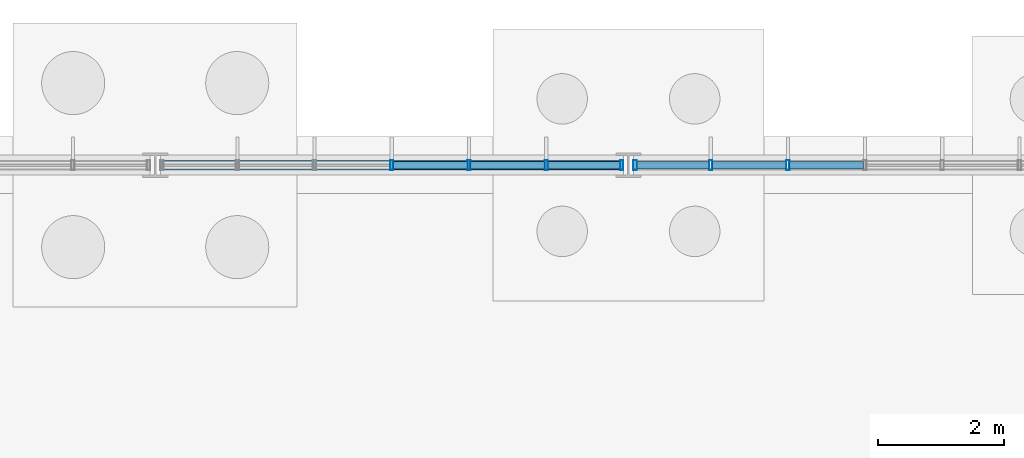
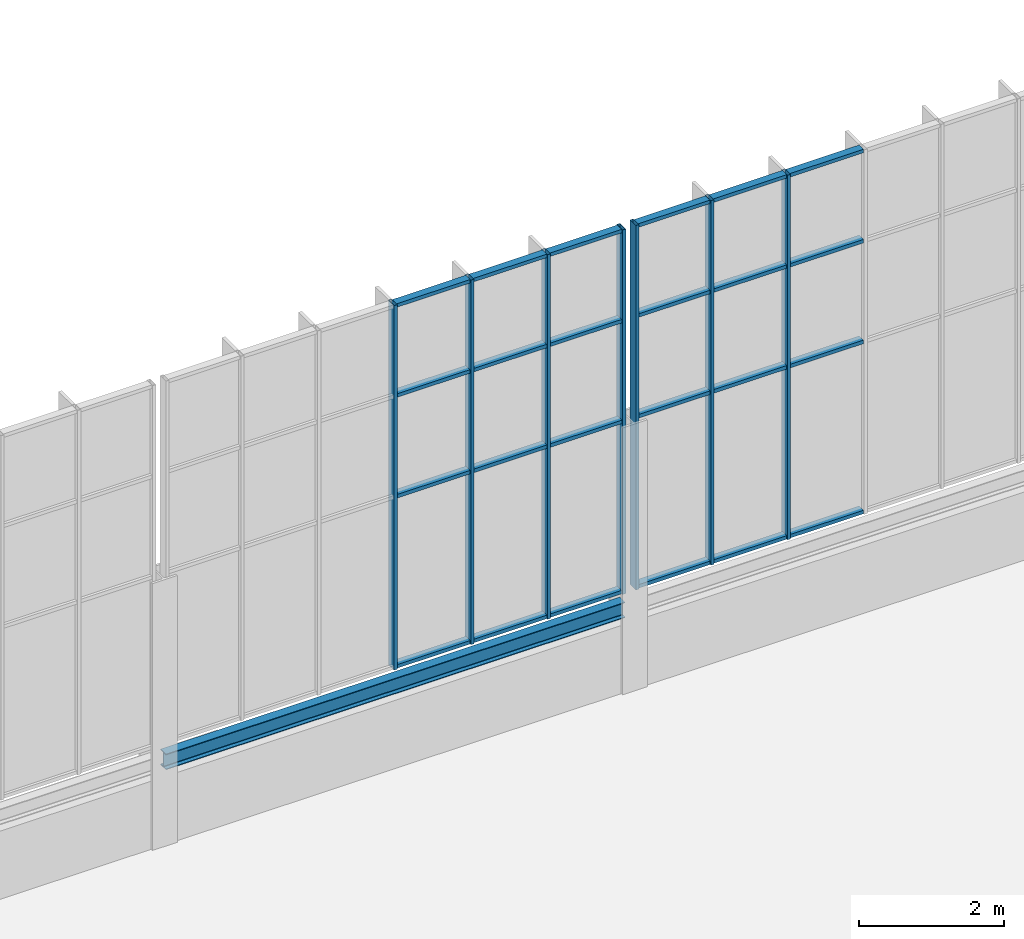
# One storey, part 55 of 136: 31 members, 1 beam, 2 elements without a shape of their own.
"""IFC4 building model written with IfcOpenShell, lengths in metres."""

from ifc_helpers import new_model, si_unit, direction, frame, origin, origin_2d, place, context, subcontext, project, spatial, hollow_rectangle, i_section, extrude, material, layer, layer_set, material_profile, profile_set, type_object, element, aggregate, save


model = new_model("IFC4")

# Units and contexts
model_context = context("Model", 3, precision=1e-05, world=origin(), true_north=direction((0.0, 1.0)))
body_context = subcontext(model_context, "Body", "Model", "MODEL_VIEW")
ifc_project = project(units=[si_unit("LENGTHUNIT", "METRE"), si_unit("AREAUNIT", "SQUARE_METRE"), si_unit("VOLUMEUNIT", "CUBIC_METRE"), si_unit("PLANEANGLEUNIT", "RADIAN"), si_unit("MASSUNIT", "GRAM", prefix="KILO")], contexts=[model_context])

# Site, building, storey
site_placement = place(None, origin())
site = spatial("IfcSite", under=ifc_project, at=site_placement, CompositionType="ELEMENT")
building_placement = place(site_placement, origin())
building = spatial("IfcBuilding", under=site, at=building_placement, Name="Solvenia Promenade Tram Depot", CompositionType="ELEMENT")
storey_placement = place(building_placement, origin())
storey = spatial("IfcBuildingStorey", under=building, at=storey_placement, Name="L00", CompositionType="ELEMENT", Elevation=0.0)

# Curtain wall, members
ifc_material_1 = material(Name="Anodized aluminium AW-6063 T6", Category="aluminium")
ifc_layer = layer(ifc_material_1, 0.159912109375, Name="Anodized aluminium AW-6063 T6", Category="aluminium")
ifc_layer_set = layer_set([ifc_layer], Name="Anodized aluminium AW-6063 T6")
curtain_wall_type = type_object("IfcCurtainWallType", Name="CW-Channel-1200", PredefinedType="NOTDEFINED", material=ifc_layer_set)
curtain_wall_1_placement = place(storey_placement, origin())
curtain_wall_1 = element("IfcCurtainWall", 1, at=curtain_wall_1_placement, inside=storey, type_object=curtain_wall_type, Name="North Translucent Channel-Glass Wall 03", PredefinedType="NOTDEFINED")
ifc_material_profile_1 = material_profile(ifc_material_1, hollow_rectangle(XDim=0.159912109375, YDim=0.052001953125, WallThickness=0.00390625, at=origin_2d()), Name="ALU-M1", Category="aluminium")
ifc_profile_set_1 = profile_set([ifc_material_profile_1], Name="Anodized aluminium AW-6063 T6")
member_type_1 = type_object("IfcMemberType", Name="CWM-Mullion-1", PredefinedType="MULLION", material=ifc_profile_set_1)
member_1_placement = place(storey_placement, frame((18.75, 126.0, 1.60009765625), z_axis=(0.0, 0.0, 1.0), x_axis=(0.0, 1.0, 0.0)))
member_1 = element("IfcMember", 2, at=member_1_placement, type_object=member_type_1, Name="CW-1 mullion 4", PredefinedType="MULLION", context=body_context, shape_type="SweptSolid", body=[
    extrude(hollow_rectangle(XDim=0.159912109375, YDim=0.052001953125, WallThickness=0.00390625, at=origin_2d()), origin(), (0.0, 0.0, 1.0), 6.14990234375),
])
member_2_placement = place(storey_placement, frame((19.973388671875, 126.0, 1.60009765625), z_axis=(0.0, 0.0, 1.0), x_axis=(0.0, 1.0, 0.0)))
member_2 = element("IfcMember", 3, at=member_2_placement, type_object=member_type_1, Name="CW-1 mullion 5", PredefinedType="MULLION", context=body_context, shape_type="SweptSolid", body=[
    extrude(hollow_rectangle(XDim=0.159912109375, YDim=0.052001953125, WallThickness=0.00390625, at=origin_2d()), origin(), (0.0, 0.0, 1.0), 6.14990234375),
])
member_3_placement = place(storey_placement, frame((21.19677734375, 126.0, 1.60009765625), z_axis=(0.0, 0.0, 1.0), x_axis=(0.0, 1.0, 0.0)))
member_3 = element("IfcMember", 4, at=member_3_placement, type_object=member_type_1, Name="CW-1 mullion 6", PredefinedType="MULLION", context=body_context, shape_type="SweptSolid", body=[
    extrude(hollow_rectangle(XDim=0.159912109375, YDim=0.052001953125, WallThickness=0.00390625, at=origin_2d()), origin(), (0.0, 0.0, 1.0), 6.14990234375),
])
member_4_placement = place(storey_placement, frame((22.39404296875, 126.0, 1.60009765625), z_axis=(0.0, 0.0, 1.0), x_axis=(0.0, 1.0, 0.0)))
member_4 = element("IfcMember", 5, at=member_4_placement, type_object=member_type_1, Name="CW-1 mullion 7", PredefinedType="MULLION", context=body_context, shape_type="SweptSolid", body=[
    extrude(hollow_rectangle(XDim=0.159912109375, YDim=0.052001953125, WallThickness=0.00390625, at=origin_2d()), origin(), (0.0, 0.0, 1.0), 6.14990234375),
])

curtain_wall_2_placement = place(storey_placement, origin())
curtain_wall_2 = element("IfcCurtainWall", 6, at=curtain_wall_2_placement, inside=storey, type_object=curtain_wall_type, Name="North Translucent Channel-Glass Wall 04", PredefinedType="NOTDEFINED")
member_5_placement = place(storey_placement, frame((22.60595703125, 126.0, 1.60009765625), z_axis=(0.0, 0.0, 1.0), x_axis=(0.0, 1.0, 0.0)))
member_5 = element("IfcMember", 7, at=member_5_placement, type_object=member_type_1, Name="CW-1 mullion 1", PredefinedType="MULLION", context=body_context, shape_type="SweptSolid", body=[
    extrude(hollow_rectangle(XDim=0.159912109375, YDim=0.052001953125, WallThickness=0.00390625, at=origin_2d()), origin(), (0.0, 0.0, 1.0), 6.14990234375),
])
member_6_placement = place(storey_placement, frame((23.80322265625, 126.0, 1.60009765625), z_axis=(0.0, 0.0, 1.0), x_axis=(0.0, 1.0, 0.0)))
member_6 = element("IfcMember", 8, at=member_6_placement, type_object=member_type_1, Name="CW-1 mullion 2", PredefinedType="MULLION", context=body_context, shape_type="SweptSolid", body=[
    extrude(hollow_rectangle(XDim=0.159912109375, YDim=0.052001953125, WallThickness=0.00390625, at=origin_2d()), origin(), (0.0, 0.0, 1.0), 6.14990234375),
])
member_7_placement = place(storey_placement, frame((25.026611328125, 126.0, 1.60009765625), z_axis=(0.0, 0.0, 1.0), x_axis=(0.0, 1.0, 0.0)))
member_7 = element("IfcMember", 9, at=member_7_placement, type_object=member_type_1, Name="CW-1 mullion 3", PredefinedType="MULLION", context=body_context, shape_type="SweptSolid", body=[
    extrude(hollow_rectangle(XDim=0.159912109375, YDim=0.052001953125, WallThickness=0.00390625, at=origin_2d()), origin(), (0.0, 0.0, 1.0), 6.14990234375),
])

# Member
ifc_material_profile_2 = material_profile(ifc_material_1, hollow_rectangle(XDim=0.1201171875, YDim=0.06005859375, WallThickness=0.00390625, at=origin_2d()), Name="ALU-T1", Category="aluminium")
ifc_profile_set_2 = profile_set([ifc_material_profile_2], Name="Anodized aluminium AW-6063 T6")
member_type_2 = type_object("IfcMemberType", Name="CWT-Transom-1", PredefinedType="USERDEFINED", material=ifc_profile_set_2)
member_8_placement = place(storey_placement, frame((18.77587890625, 126.0, 1.6298828125), z_axis=(1.0, 0.0, 0.0), x_axis=(0.0, 1.0, 0.0)))
member_8 = element("IfcMember", 10, at=member_8_placement, type_object=member_type_2, Name="CW-1 transom 4.1", ObjectType="TRANSOM", PredefinedType="USERDEFINED", context=body_context, shape_type="SweptSolid", body=[
    extrude(hollow_rectangle(XDim=0.1201171875, YDim=0.06005859375, WallThickness=0.00390625, at=origin_2d()), origin(), (0.0, 0.0, 1.0), 1.17138671875),
])

member_9_placement = place(storey_placement, frame((18.77587890625, 126.0, 4.5), z_axis=(1.0, 0.0, 0.0), x_axis=(0.0, 1.0, 0.0)))
member_9 = element("IfcMember", 11, at=member_9_placement, type_object=member_type_2, Name="CW-1 transom 4.2", ObjectType="TRANSOM", PredefinedType="USERDEFINED", context=body_context, shape_type="SweptSolid", body=[
    extrude(hollow_rectangle(XDim=0.1201171875, YDim=0.06005859375, WallThickness=0.00390625, at=origin_2d()), origin(), (0.0, 0.0, 1.0), 1.17138671875),
])

member_10_placement = place(storey_placement, frame((18.77587890625, 126.0, 6.199951171875), z_axis=(1.0, 0.0, 0.0), x_axis=(0.0, 1.0, 0.0)))
member_10 = element("IfcMember", 12, at=member_10_placement, type_object=member_type_2, Name="CW-1 transom 4.3", ObjectType="TRANSOM", PredefinedType="USERDEFINED", context=body_context, shape_type="SweptSolid", body=[
    extrude(hollow_rectangle(XDim=0.1201171875, YDim=0.06005859375, WallThickness=0.00390625, at=origin_2d()), origin(), (0.0, 0.0, 1.0), 1.17138671875),
])

member_11_placement = place(storey_placement, frame((18.77587890625, 126.0, 7.719970703125), z_axis=(1.0, 0.0, 0.0), x_axis=(0.0, 1.0, 0.0)))
member_11 = element("IfcMember", 13, at=member_11_placement, type_object=member_type_2, Name="CW-1 transom 4.4", ObjectType="TRANSOM", PredefinedType="USERDEFINED", context=body_context, shape_type="SweptSolid", body=[
    extrude(hollow_rectangle(XDim=0.1201171875, YDim=0.06005859375, WallThickness=0.00390625, at=origin_2d()), origin(), (0.0, 0.0, 1.0), 1.17138671875),
])

member_12_placement = place(storey_placement, frame((19.999267578125, 126.0, 1.6298828125), z_axis=(1.0, 0.0, 0.0), x_axis=(0.0, 1.0, 0.0)))
member_12 = element("IfcMember", 14, at=member_12_placement, type_object=member_type_2, Name="CW-1 transom 5.1", ObjectType="TRANSOM", PredefinedType="USERDEFINED", context=body_context, shape_type="SweptSolid", body=[
    extrude(hollow_rectangle(XDim=0.1201171875, YDim=0.06005859375, WallThickness=0.00390625, at=origin_2d()), origin(), (0.0, 0.0, 1.0), 1.17138671875),
])

member_13_placement = place(storey_placement, frame((19.999267578125, 126.0, 4.5), z_axis=(1.0, 0.0, 0.0), x_axis=(0.0, 1.0, 0.0)))
member_13 = element("IfcMember", 15, at=member_13_placement, type_object=member_type_2, Name="CW-1 transom 5.2", ObjectType="TRANSOM", PredefinedType="USERDEFINED", context=body_context, shape_type="SweptSolid", body=[
    extrude(hollow_rectangle(XDim=0.1201171875, YDim=0.06005859375, WallThickness=0.00390625, at=origin_2d()), origin(), (0.0, 0.0, 1.0), 1.17138671875),
])

member_14_placement = place(storey_placement, frame((19.999267578125, 126.0, 6.199951171875), z_axis=(1.0, 0.0, 0.0), x_axis=(0.0, 1.0, 0.0)))
member_14 = element("IfcMember", 16, at=member_14_placement, type_object=member_type_2, Name="CW-1 transom 5.3", ObjectType="TRANSOM", PredefinedType="USERDEFINED", context=body_context, shape_type="SweptSolid", body=[
    extrude(hollow_rectangle(XDim=0.1201171875, YDim=0.06005859375, WallThickness=0.00390625, at=origin_2d()), origin(), (0.0, 0.0, 1.0), 1.17138671875),
])

member_15_placement = place(storey_placement, frame((19.999267578125, 126.0, 7.719970703125), z_axis=(1.0, 0.0, 0.0), x_axis=(0.0, 1.0, 0.0)))
member_15 = element("IfcMember", 17, at=member_15_placement, type_object=member_type_2, Name="CW-1 transom 5.4", ObjectType="TRANSOM", PredefinedType="USERDEFINED", context=body_context, shape_type="SweptSolid", body=[
    extrude(hollow_rectangle(XDim=0.1201171875, YDim=0.06005859375, WallThickness=0.00390625, at=origin_2d()), origin(), (0.0, 0.0, 1.0), 1.17138671875),
])

member_16_placement = place(storey_placement, frame((21.22265625, 126.0, 1.6298828125), z_axis=(1.0, 0.0, 0.0), x_axis=(0.0, 1.0, 0.0)))
member_16 = element("IfcMember", 18, at=member_16_placement, type_object=member_type_2, Name="CW-1 transom 6.1", ObjectType="TRANSOM", PredefinedType="USERDEFINED", context=body_context, shape_type="SweptSolid", body=[
    extrude(hollow_rectangle(XDim=0.1201171875, YDim=0.06005859375, WallThickness=0.00390625, at=origin_2d()), origin(), (0.0, 0.0, 1.0), 1.145263671875),
])

member_17_placement = place(storey_placement, frame((21.22265625, 126.0, 4.5), z_axis=(1.0, 0.0, 0.0), x_axis=(0.0, 1.0, 0.0)))
member_17 = element("IfcMember", 19, at=member_17_placement, type_object=member_type_2, Name="CW-1 transom 6.2", ObjectType="TRANSOM", PredefinedType="USERDEFINED", context=body_context, shape_type="SweptSolid", body=[
    extrude(hollow_rectangle(XDim=0.1201171875, YDim=0.06005859375, WallThickness=0.00390625, at=origin_2d()), origin(), (0.0, 0.0, 1.0), 1.145263671875),
])

member_18_placement = place(storey_placement, frame((21.22265625, 126.0, 6.199951171875), z_axis=(1.0, 0.0, 0.0), x_axis=(0.0, 1.0, 0.0)))
member_18 = element("IfcMember", 20, at=member_18_placement, type_object=member_type_2, Name="CW-1 transom 6.3", ObjectType="TRANSOM", PredefinedType="USERDEFINED", context=body_context, shape_type="SweptSolid", body=[
    extrude(hollow_rectangle(XDim=0.1201171875, YDim=0.06005859375, WallThickness=0.00390625, at=origin_2d()), origin(), (0.0, 0.0, 1.0), 1.145263671875),
])

member_19_placement = place(storey_placement, frame((21.22265625, 126.0, 7.719970703125), z_axis=(1.0, 0.0, 0.0), x_axis=(0.0, 1.0, 0.0)))
member_19 = element("IfcMember", 21, at=member_19_placement, type_object=member_type_2, Name="CW-1 transom 6.4", ObjectType="TRANSOM", PredefinedType="USERDEFINED", context=body_context, shape_type="SweptSolid", body=[
    extrude(hollow_rectangle(XDim=0.1201171875, YDim=0.06005859375, WallThickness=0.00390625, at=origin_2d()), origin(), (0.0, 0.0, 1.0), 1.145263671875),
])

aggregate(curtain_wall_1, [member_1, member_2, member_3, member_4, member_8, member_9, member_10, member_11, member_12, member_13, member_14, member_15, member_16, member_17, member_18, member_19])

member_20_placement = place(storey_placement, frame((22.632080078125, 126.0, 1.6298828125), z_axis=(1.0, 0.0, 0.0), x_axis=(0.0, 1.0, 0.0)))
member_20 = element("IfcMember", 22, at=member_20_placement, type_object=member_type_2, Name="CW-1 transom 1.1", ObjectType="TRANSOM", PredefinedType="USERDEFINED", context=body_context, shape_type="SweptSolid", body=[
    extrude(hollow_rectangle(XDim=0.1201171875, YDim=0.06005859375, WallThickness=0.00390625, at=origin_2d()), origin(), (0.0, 0.0, 1.0), 1.145263671875),
])

member_21_placement = place(storey_placement, frame((22.632080078125, 126.0, 4.5), z_axis=(1.0, 0.0, 0.0), x_axis=(0.0, 1.0, 0.0)))
member_21 = element("IfcMember", 23, at=member_21_placement, type_object=member_type_2, Name="CW-1 transom 1.2", ObjectType="TRANSOM", PredefinedType="USERDEFINED", context=body_context, shape_type="SweptSolid", body=[
    extrude(hollow_rectangle(XDim=0.1201171875, YDim=0.06005859375, WallThickness=0.00390625, at=origin_2d()), origin(), (0.0, 0.0, 1.0), 1.145263671875),
])

member_22_placement = place(storey_placement, frame((22.632080078125, 126.0, 6.199951171875), z_axis=(1.0, 0.0, 0.0), x_axis=(0.0, 1.0, 0.0)))
member_22 = element("IfcMember", 24, at=member_22_placement, type_object=member_type_2, Name="CW-1 transom 1.3", ObjectType="TRANSOM", PredefinedType="USERDEFINED", context=body_context, shape_type="SweptSolid", body=[
    extrude(hollow_rectangle(XDim=0.1201171875, YDim=0.06005859375, WallThickness=0.00390625, at=origin_2d()), origin(), (0.0, 0.0, 1.0), 1.145263671875),
])

member_23_placement = place(storey_placement, frame((22.632080078125, 126.0, 7.719970703125), z_axis=(1.0, 0.0, 0.0), x_axis=(0.0, 1.0, 0.0)))
member_23 = element("IfcMember", 25, at=member_23_placement, type_object=member_type_2, Name="CW-1 transom 1.4", ObjectType="TRANSOM", PredefinedType="USERDEFINED", context=body_context, shape_type="SweptSolid", body=[
    extrude(hollow_rectangle(XDim=0.1201171875, YDim=0.06005859375, WallThickness=0.00390625, at=origin_2d()), origin(), (0.0, 0.0, 1.0), 1.145263671875),
])

member_24_placement = place(storey_placement, frame((23.829345703125, 126.0, 1.6298828125), z_axis=(1.0, 0.0, 0.0), x_axis=(0.0, 1.0, 0.0)))
member_24 = element("IfcMember", 26, at=member_24_placement, type_object=member_type_2, Name="CW-1 transom 2.1", ObjectType="TRANSOM", PredefinedType="USERDEFINED", context=body_context, shape_type="SweptSolid", body=[
    extrude(hollow_rectangle(XDim=0.1201171875, YDim=0.06005859375, WallThickness=0.00390625, at=origin_2d()), origin(), (0.0, 0.0, 1.0), 1.17138671875),
])

member_25_placement = place(storey_placement, frame((23.829345703125, 126.0, 4.5), z_axis=(1.0, 0.0, 0.0), x_axis=(0.0, 1.0, 0.0)))
member_25 = element("IfcMember", 27, at=member_25_placement, type_object=member_type_2, Name="CW-1 transom 2.2", ObjectType="TRANSOM", PredefinedType="USERDEFINED", context=body_context, shape_type="SweptSolid", body=[
    extrude(hollow_rectangle(XDim=0.1201171875, YDim=0.06005859375, WallThickness=0.00390625, at=origin_2d()), origin(), (0.0, 0.0, 1.0), 1.17138671875),
])

member_26_placement = place(storey_placement, frame((23.829345703125, 126.0, 6.199951171875), z_axis=(1.0, 0.0, 0.0), x_axis=(0.0, 1.0, 0.0)))
member_26 = element("IfcMember", 28, at=member_26_placement, type_object=member_type_2, Name="CW-1 transom 2.3", ObjectType="TRANSOM", PredefinedType="USERDEFINED", context=body_context, shape_type="SweptSolid", body=[
    extrude(hollow_rectangle(XDim=0.1201171875, YDim=0.06005859375, WallThickness=0.00390625, at=origin_2d()), origin(), (0.0, 0.0, 1.0), 1.17138671875),
])

member_27_placement = place(storey_placement, frame((23.829345703125, 126.0, 7.719970703125), z_axis=(1.0, 0.0, 0.0), x_axis=(0.0, 1.0, 0.0)))
member_27 = element("IfcMember", 29, at=member_27_placement, type_object=member_type_2, Name="CW-1 transom 2.4", ObjectType="TRANSOM", PredefinedType="USERDEFINED", context=body_context, shape_type="SweptSolid", body=[
    extrude(hollow_rectangle(XDim=0.1201171875, YDim=0.06005859375, WallThickness=0.00390625, at=origin_2d()), origin(), (0.0, 0.0, 1.0), 1.17138671875),
])

member_28_placement = place(storey_placement, frame((25.052734375, 126.0, 1.6298828125), z_axis=(1.0, 0.0, 0.0), x_axis=(0.0, 1.0, 0.0)))
member_28 = element("IfcMember", 30, at=member_28_placement, type_object=member_type_2, Name="CW-1 transom 3.1", ObjectType="TRANSOM", PredefinedType="USERDEFINED", context=body_context, shape_type="SweptSolid", body=[
    extrude(hollow_rectangle(XDim=0.1201171875, YDim=0.06005859375, WallThickness=0.00390625, at=origin_2d()), origin(), (0.0, 0.0, 1.0), 1.17138671875),
])

member_29_placement = place(storey_placement, frame((25.052734375, 126.0, 4.5), z_axis=(1.0, 0.0, 0.0), x_axis=(0.0, 1.0, 0.0)))
member_29 = element("IfcMember", 31, at=member_29_placement, type_object=member_type_2, Name="CW-1 transom 3.2", ObjectType="TRANSOM", PredefinedType="USERDEFINED", context=body_context, shape_type="SweptSolid", body=[
    extrude(hollow_rectangle(XDim=0.1201171875, YDim=0.06005859375, WallThickness=0.00390625, at=origin_2d()), origin(), (0.0, 0.0, 1.0), 1.17138671875),
])

member_30_placement = place(storey_placement, frame((25.052734375, 126.0, 6.199951171875), z_axis=(1.0, 0.0, 0.0), x_axis=(0.0, 1.0, 0.0)))
member_30 = element("IfcMember", 32, at=member_30_placement, type_object=member_type_2, Name="CW-1 transom 3.3", ObjectType="TRANSOM", PredefinedType="USERDEFINED", context=body_context, shape_type="SweptSolid", body=[
    extrude(hollow_rectangle(XDim=0.1201171875, YDim=0.06005859375, WallThickness=0.00390625, at=origin_2d()), origin(), (0.0, 0.0, 1.0), 1.17138671875),
])

member_31_placement = place(storey_placement, frame((25.052734375, 126.0, 7.719970703125), z_axis=(1.0, 0.0, 0.0), x_axis=(0.0, 1.0, 0.0)))
member_31 = element("IfcMember", 33, at=member_31_placement, type_object=member_type_2, Name="CW-1 transom 3.4", ObjectType="TRANSOM", PredefinedType="USERDEFINED", context=body_context, shape_type="SweptSolid", body=[
    extrude(hollow_rectangle(XDim=0.1201171875, YDim=0.06005859375, WallThickness=0.00390625, at=origin_2d()), origin(), (0.0, 0.0, 1.0), 1.17138671875),
])

aggregate(curtain_wall_2, [member_5, member_6, member_7, member_20, member_21, member_22, member_23, member_24, member_25, member_26, member_27, member_28, member_29, member_30, member_31])

# Beam
ifc_material_2 = material(Name="Structural steel ASTM A992 Gr. 50", Category="steel")
ifc_material_profile_3 = material_profile(ifc_material_2, i_section(OverallWidth=0.14697265625, OverallDepth=0.261962890625, WebThickness=0.006591796875, FlangeThickness=0.01123046875, FilletRadius=0.010009765625, at=origin_2d()), Name="W250x39", Category="steel")
ifc_profile_set_3 = profile_set([ifc_material_profile_3], Name="Structural steel ASTM A992 Gr. 50")
beam_type = type_object("IfcBeamType", Name="Lintel-W250x39", PredefinedType="LINTEL", material=ifc_profile_set_3)
beam_placement = place(storey_placement, frame((15.0849609375, 126.0, 1.319091796875), z_axis=(1.0, 0.0, 0.0), x_axis=(0.0, 1.0, 0.0)))
element("IfcBeam", 34, at=beam_placement, inside=storey, type_object=beam_type, Name="North Plinth Header Beam 3 BM-L00-0936", PredefinedType="LINTEL", context=body_context, shape_type="SweptSolid", body=[
    extrude(i_section(OverallWidth=0.14697265625, OverallDepth=0.261962890625, WebThickness=0.006591796875, FlangeThickness=0.01123046875, FilletRadius=0.010009765625, at=origin_2d()), origin(), (0.0, 0.0, 1.0), 7.330078125),
])

save(model, "model.ifc")
